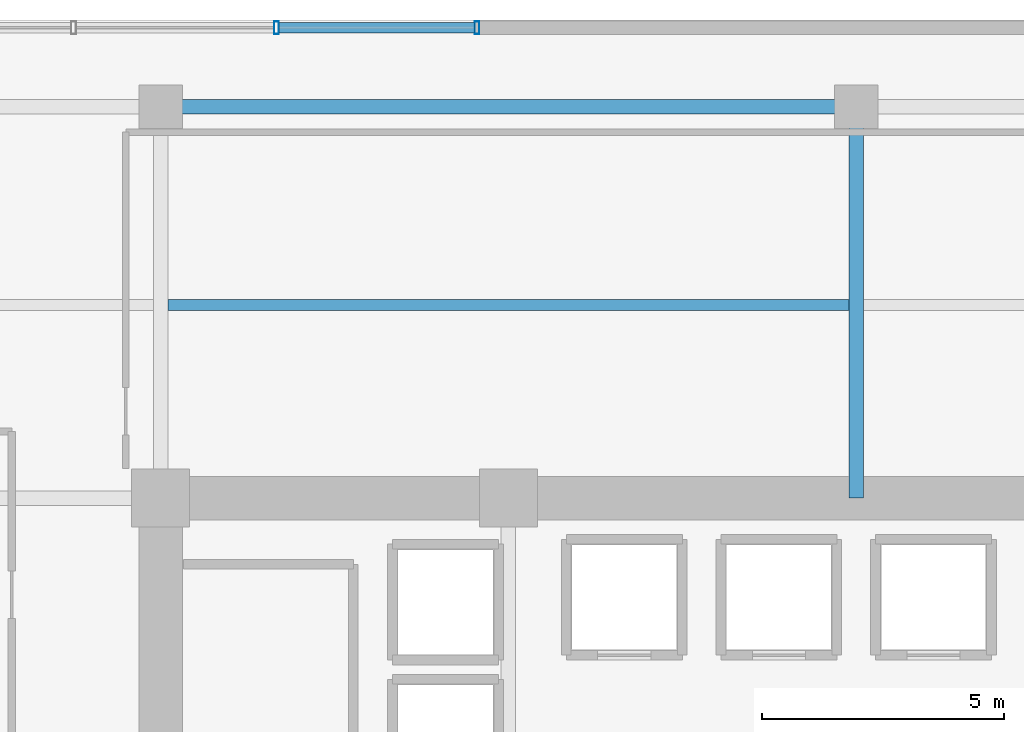
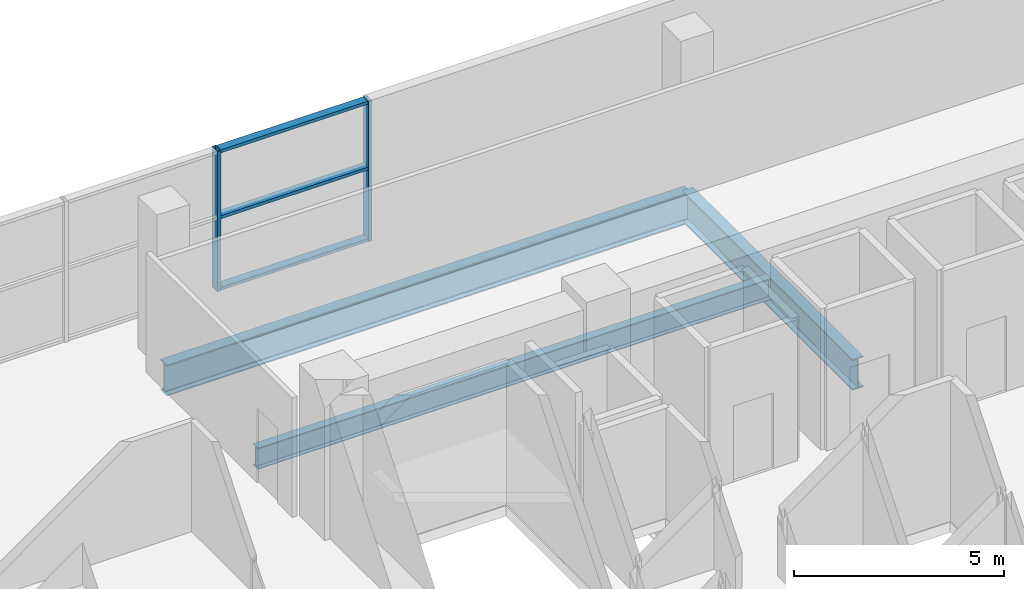
# One storey, part 9 of 21: 5 members, 3 beams, 1 element without a shape of its own.
"""IFC4 building model written with IfcOpenShell, lengths in metres."""

import ifcopenshell
import ifcopenshell.guid

model = None  # the IFC model being written
_history = None  # IfcOwnerHistory: only IFC2X3 demands one
_inside = {}  # id of a spatial element -> (the spatial element, [elements in it])
_under = {}  # id of a project, library or spatial element -> (it, [spatial elements below it])
_declared = {}  # id of a project -> (the project, [libraries it declares])
_typed = {}  # id of a type object -> (the type object, [elements of that type])
_made_of = {}  # id of a material, layer set ... -> (it, [elements and type objects made of it])


def new_model(schema):
    """Start an empty IFC model of exactly this schema.

    Asked for "IFC4X3", IfcOpenShell would pick the latest addendum, in which some entities
    have other attributes; the version numbers below select the first issue.
    IFC2X3 requires an IfcOwnerHistory on every rooted entity: one is made here for all.
    """
    global model, _history
    if schema == "IFC4X3":
        model = ifcopenshell.file(schema_version=(4, 3, 0, 0))
    else:
        model = ifcopenshell.file(schema=schema)
    _inside.clear()
    _under.clear()
    _declared.clear()
    _typed.clear()
    _made_of.clear()
    _history = None
    if model.schema == "IFC2X3":
        org = make("IfcOrganization", Name="unknown")
        user = make(
            "IfcPersonAndOrganization",
            ThePerson=make("IfcPerson", FamilyName="unknown"),
            TheOrganization=org,
        )
        app = make(
            "IfcApplication",
            ApplicationDeveloper=org,
            Version="unknown",
            ApplicationFullName="unknown",
            ApplicationIdentifier="unknown",
        )
        _history = make(
            "IfcOwnerHistory",
            OwningUser=user,
            OwningApplication=app,
            ChangeAction="ADDED",
            CreationDate=0,
        )
    return model


def make(cls, **values):
    """One entity of the class cls with the attributes given. An attribute that is None is left unset."""
    return model.create_entity(
        cls, **{name: value for name, value in values.items() if value is not None}
    )


def rooted(cls, **values):
    """An entity with a GlobalId (a new one), such as an element, a storey or a relation."""
    return make(cls, GlobalId=ifcopenshell.guid.new(), OwnerHistory=_history, **values)


def si_unit(unit_type, name, prefix=None):
    """IfcSIUnit, for example si_unit("LENGTHUNIT", "METRE", prefix="MILLI")."""
    return make("IfcSIUnit", UnitType=unit_type, Prefix=prefix, Name=name)


def assignment(units):
    """IfcUnitAssignment: the units of a project."""
    return None if units is None else make("IfcUnitAssignment", Units=units)


def point(xyz):
    """IfcCartesianPoint."""
    return None if xyz is None else make("IfcCartesianPoint", Coordinates=xyz)


def direction(xyz):
    """IfcDirection."""
    return None if xyz is None else make("IfcDirection", DirectionRatios=xyz)


def frame(location, z_axis=None, x_axis=None):
    """IfcAxis2Placement3D, a coordinate frame: its origin and axes. An axis left out is left unset."""
    return make(
        "IfcAxis2Placement3D",
        Location=point(location),
        Axis=direction(z_axis),
        RefDirection=direction(x_axis),
    )


def frame_2d(location, x_axis=None):
    """IfcAxis2Placement2D, a coordinate frame in the plane: its origin and x axis."""
    return make(
        "IfcAxis2Placement2D", Location=point(location), RefDirection=direction(x_axis)
    )


def origin():
    """The frame at (0, 0, 0) with its axes left unset."""
    return frame((0.0, 0.0, 0.0))


def origin_2d():
    """The frame at (0, 0) in the plane with its x axis left unset."""
    return frame_2d((0.0, 0.0))


def place(relative_to, where):
    """IfcLocalPlacement: puts the frame where relative to a parent placement (None: the world)."""
    return make(
        "IfcLocalPlacement", PlacementRelTo=relative_to, RelativePlacement=where
    )


def context(
    kind, dimensions, precision=None, world=None, true_north=None, identifier=None
):
    """IfcGeometricRepresentationContext, for example the 3D "Model" context."""
    return make(
        "IfcGeometricRepresentationContext",
        ContextIdentifier=identifier,
        ContextType=kind,
        CoordinateSpaceDimension=dimensions,
        Precision=precision,
        WorldCoordinateSystem=world,
        TrueNorth=true_north,
    )


def subcontext(parent, identifier, kind, view, scale=None):
    """IfcGeometricRepresentationSubContext, for example "Body" below "Model"."""
    return make(
        "IfcGeometricRepresentationSubContext",
        ContextIdentifier=identifier,
        ContextType=kind,
        ParentContext=parent,
        TargetScale=scale,
        TargetView=view,
    )


def project(units=None, contexts=None):
    """IfcProject with its units and contexts."""
    return rooted(
        "IfcProject",
        Name="project",
        RepresentationContexts=contexts,
        UnitsInContext=assignment(units),
    )


def spatial(cls, under=None, at=None, **own):
    """A site, building, storey or space (cls), placed at a placement, below another one or the project."""
    s = rooted(cls, ObjectPlacement=at, **own)
    if under is not None:
        _under.setdefault(under.id(), (under, []))[1].append(s)
    return s


def profile(cls, at=None, kind="AREA", **sizes):
    """A parametric profile (cls). Its sizes go by their IFC names, for example OverallWidth=200.0."""
    return make(cls, ProfileType=kind, Position=at, **sizes)


def hollow_rectangle(**sizes):
    """IfcRectangleHollowProfileDef."""
    return profile("IfcRectangleHollowProfileDef", **sizes)


def i_section(**sizes):
    """IfcIShapeProfileDef."""
    return profile("IfcIShapeProfileDef", **sizes)


def extrude(swept, where, along, depth):
    """IfcExtrudedAreaSolid: the profile swept, set in the frame where, extruded along a direction by depth."""
    return make(
        "IfcExtrudedAreaSolid",
        SweptArea=swept,
        Position=where,
        ExtrudedDirection=direction(along),
        Depth=depth,
    )


def shape(context_of_items, identifier, shape_type, items):
    """IfcShapeRepresentation: the items that make up one representation, for example the "Body"."""
    return make(
        "IfcShapeRepresentation",
        ContextOfItems=context_of_items,
        RepresentationIdentifier=identifier,
        RepresentationType=shape_type,
        Items=items,
    )


def source(mapping_origin, context_of_items, identifier, shape_type, items):
    """IfcRepresentationMap: a shape defined once, which mapped items show again and again."""
    return make(
        "IfcRepresentationMap",
        MappingOrigin=mapping_origin,
        MappedRepresentation=shape(context_of_items, identifier, shape_type, items),
    )


def transform(
    local_origin,
    x_axis=None,
    y_axis=None,
    z_axis=None,
    scale=None,
    scale2=None,
    scale3=None,
    uniform=True,
):
    """IfcCartesianTransformationOperator3D, or its non-uniform kind. x_axis, y_axis, z_axis: its Axis1, 2, 3."""
    if uniform:
        return make(
            "IfcCartesianTransformationOperator3D",
            Axis1=direction(x_axis),
            Axis2=direction(y_axis),
            LocalOrigin=point(local_origin),
            Scale=scale,
            Axis3=direction(z_axis),
        )
    return make(
        "IfcCartesianTransformationOperator3DnonUniform",
        Axis1=direction(x_axis),
        Axis2=direction(y_axis),
        LocalOrigin=point(local_origin),
        Scale=scale,
        Axis3=direction(z_axis),
        Scale2=scale2,
        Scale3=scale3,
    )


def mapped(mapping_source, mapping_target):
    """IfcMappedItem: shows the shape of a source again, moved by a transform."""
    return make(
        "IfcMappedItem", MappingSource=mapping_source, MappingTarget=mapping_target
    )


def material(Name=None, Category=None):
    """IfcMaterial."""
    return make("IfcMaterial", Name=Name, Category=Category)


def layer(
    of_material, thickness, ventilated=None, Name=None, Category=None, Priority=None
):
    """IfcMaterialLayer: one layer of a wall or slab, of a material (None: an air gap)."""
    return make(
        "IfcMaterialLayer",
        Material=of_material,
        LayerThickness=thickness,
        IsVentilated=ventilated,
        Name=Name,
        Category=Category,
        Priority=Priority,
    )


def layer_set(layers, Name=None):
    """IfcMaterialLayerSet."""
    return make("IfcMaterialLayerSet", MaterialLayers=layers, LayerSetName=Name)


def material_profile(
    of_material, cross_section, Name=None, Category=None, Priority=None
):
    """IfcMaterialProfile: a cross section and its material."""
    return make(
        "IfcMaterialProfile",
        Name=Name,
        Material=of_material,
        Profile=cross_section,
        Priority=Priority,
        Category=Category,
    )


def profile_set(profiles, Name=None, composite=None):
    """IfcMaterialProfileSet."""
    return make(
        "IfcMaterialProfileSet",
        Name=Name,
        MaterialProfiles=profiles,
        CompositeProfile=composite,
    )


def made_of(thing, what):
    """Note that an element or type object is made of a material, layer set ...; save() writes the relation."""
    if what is not None:
        _made_of.setdefault(what.id(), (what, []))[1].append(thing)
    return thing


def type_object(cls, material=None, **own):
    """A type object (cls), such as IfcWallType, which elements share."""
    return made_of(rooted(cls, **own), material)


def element(
    cls,
    number,
    at=None,
    inside=None,
    cuts=None,
    type_object=None,
    material=None,
    context=None,
    identifier="Body",
    shape_type=None,
    held_by="IfcProductDefinitionShape",
    body=None,
    shapes=None,
    **own,
):
    """One element of the class cls, such as IfcWall. Its Tag is "e" and its number.

    at: its placement. inside: the storey or other place that contains it. cuts: it is an
    opening in that element (IfcRelVoidsElement). A single representation is given by context,
    identifier, shape_type and body (its items); several are given by shapes. held_by: the class
    of the entity that holds the representations. save() writes the other relations.
    """
    e = rooted(cls, Tag="e%d" % number, ObjectPlacement=at, **own)
    if body is not None:
        shapes = [shape(context, identifier, shape_type, body)]
    if shapes is not None:
        e.Representation = make(held_by, Representations=shapes)
    if inside is not None:
        _inside.setdefault(inside.id(), (inside, []))[1].append(e)
    if cuts is not None:
        rooted(
            "IfcRelVoidsElement", RelatingBuildingElement=cuts, RelatedOpeningElement=e
        )
    if type_object is not None:
        _typed.setdefault(type_object.id(), (type_object, []))[1].append(e)
    return made_of(e, material)


def aggregate(whole, parts):
    """IfcRelAggregates: a whole, such as a stair, and the parts it consists of."""
    return rooted("IfcRelAggregates", RelatingObject=whole, RelatedObjects=parts)


def save(model, path):
    """Write the relations noted so far, then the file.

    IfcRelAggregates (storeys below a building ...), IfcRelContainedInSpatialStructure (elements
    in a storey), IfcRelDefinesByType, IfcRelAssociatesMaterial and IfcRelDeclares: one each for
    every whole, place, type object, material and project.
    """
    for whole, parts in _under.values():
        aggregate(whole, parts)
    for where, things in _inside.values():
        rooted(
            "IfcRelContainedInSpatialStructure",
            RelatedElements=things,
            RelatingStructure=where,
        )
    for kind, things in _typed.values():
        rooted("IfcRelDefinesByType", RelatedObjects=things, RelatingType=kind)
    for what, things in _made_of.values():
        rooted("IfcRelAssociatesMaterial", RelatedObjects=things, RelatingMaterial=what)
    for by, libraries in _declared.values():
        rooted("IfcRelDeclares", RelatingContext=by, RelatedDefinitions=libraries)
    model.write(path)


model = new_model("IFC4")

# Units and contexts
model_context = context("Model", 3, precision=1e-05, world=origin(), true_north=direction((0.0, 1.0)))
body_context = subcontext(model_context, "Body", "Model", "MODEL_VIEW")
ifc_project = project(units=[si_unit("LENGTHUNIT", "METRE"), si_unit("AREAUNIT", "SQUARE_METRE"), si_unit("VOLUMEUNIT", "CUBIC_METRE"), si_unit("PLANEANGLEUNIT", "RADIAN"), si_unit("MASSUNIT", "GRAM", prefix="KILO")], contexts=[model_context])

# Site, building, storey
site_placement = place(None, origin())
site = spatial("IfcSite", under=ifc_project, at=site_placement, CompositionType="ELEMENT")
building_placement = place(site_placement, origin())
building = spatial("IfcBuilding", under=site, at=building_placement, Name="Zarnakvel Exchange Tower", CompositionType="ELEMENT")
storey_placement = place(building_placement, frame((0.0, 0.0, 18.199951171875)))
storey = spatial("IfcBuildingStorey", under=building, at=storey_placement, Name="L04", CompositionType="ELEMENT", Elevation=18.199951171875)

# Beams
ifc_material_1 = material(Name="Steel S355", Category="steel")
ifc_material_profile_1 = material_profile(ifc_material_1, i_section(OverallWidth=0.230224609375, OverallDepth=0.6171875, WebThickness=0.01318359375, FlangeThickness=0.022216796875, FilletRadius=0.0126953125, at=origin_2d()))
ifc_profile_set_1 = profile_set([ifc_material_profile_1], Name="Steel S355")
beam_type_1 = type_object("IfcBeamType", Name="B-02", PredefinedType="JOIST", material=ifc_profile_set_1)
beam_1_placement = place(storey_placement, frame((-14.25, 17.5, -0.608642578125), z_axis=(1.0, 0.0, 0.0), x_axis=(0.0, 1.0, 0.0)))
element("IfcBeam", 1, at=beam_1_placement, inside=storey, type_object=beam_type_1, Name="L04 North Bay Secondary Floor Joist", PredefinedType="JOIST", context=body_context, shape_type="SweptSolid", body=[
    extrude(i_section(OverallWidth=0.230224609375, OverallDepth=0.6171875, WebThickness=0.01318359375, FlangeThickness=0.022216796875, FilletRadius=0.0126953125, at=origin_2d()), origin(), (0.0, 0.0, 1.0), 14.10009765625),
])
ifc_material_profile_2 = material_profile(ifc_material_1, i_section(OverallWidth=0.300048828125, OverallDepth=0.89990234375, WebThickness=0.0185546875, FlangeThickness=0.034912109375, FilletRadius=0.030029296875, at=origin_2d()))
ifc_profile_set_2 = profile_set([ifc_material_profile_2], Name="Steel S355")
beam_type_2 = type_object("IfcBeamType", Name="G-01", PredefinedType="BEAM", material=ifc_profile_set_2)
beam_2_placement = place(storey_placement, frame((-14.39990234375, 21.60009765625, -0.75), z_axis=(1.0, 0.0, 0.0), x_axis=(0.0, 1.0, 0.0)))
element("IfcBeam", 2, at=beam_2_placement, inside=storey, type_object=beam_type_2, Name="L04 Primary E-W Girder Y=+21.6", PredefinedType="BEAM", context=body_context, shape_type="SweptSolid", body=[
    extrude(i_section(OverallWidth=0.300048828125, OverallDepth=0.89990234375, WebThickness=0.0185546875, FlangeThickness=0.034912109375, FilletRadius=0.030029296875, at=origin_2d()), origin(), (0.0, 0.0, 1.0), 14.39990234375),
])
beam_3_placement = place(storey_placement, frame((0.0, 13.5, -0.75), z_axis=(0.0, 1.0, 0.0), x_axis=(-1.0, 0.0, 0.0)))
element("IfcBeam", 3, at=beam_3_placement, inside=storey, type_object=beam_type_2, Name="L04 Primary N-S Girder X=+0.0 North", PredefinedType="BEAM", context=body_context, shape_type="SweptSolid", body=[
    extrude(i_section(OverallWidth=0.300048828125, OverallDepth=0.89990234375, WebThickness=0.0185546875, FlangeThickness=0.034912109375, FilletRadius=0.030029296875, at=origin_2d()), origin(), (0.0, 0.0, 1.0), 8.10009765625),
])

# Curtain wall, members
ifc_material_2 = material(Name="Architectural Bronze Anodised Aluminium", Category="aluminium")
ifc_layer = layer(ifc_material_2, 0.260009765625)
ifc_layer_set = layer_set([ifc_layer], Name="Architectural Bronze Anodised Aluminium")
curtain_wall_type = type_object("IfcCurtainWallType", Name="CW-01", PredefinedType="NOTDEFINED", material=ifc_layer_set)
curtain_wall_placement = place(storey_placement, origin())
curtain_wall = element("IfcCurtainWall", 4, at=curtain_wall_placement, inside=storey, type_object=curtain_wall_type, Name="L04 Curtain Wall CW-L04-N1 (CW-01)", PredefinedType="NOTDEFINED")
ifc_material_profile_3 = material_profile(ifc_material_2, hollow_rectangle(XDim=0.219970703125, YDim=0.090087890625, WallThickness=0.0048828125, at=origin_2d()))
ifc_profile_set_3 = profile_set([ifc_material_profile_3], Name="Architectural Bronze Anodised Aluminium")
member_type_1 = type_object("IfcMemberType", Name="CWT-01", PredefinedType="USERDEFINED", material=ifc_profile_set_3)
shared_shape_1 = source(origin(), body_context, "Body", "SweptSolid", [
    extrude(hollow_rectangle(XDim=0.219970703125, YDim=0.090087890625, WallThickness=0.0048828125, at=origin_2d()), origin(), (0.0, 0.0, 1.0), 4.050048828125),
])
member_1_placement = place(storey_placement, frame((-11.949951171875, 23.239990234375, 0.045166015625), z_axis=(1.0, 0.0, 0.0), x_axis=(0.0, 1.0, 0.0)))
member_1 = element("IfcMember", 5, at=member_1_placement, type_object=member_type_1, Name="CW-01 transom 3.1", ObjectType="TRANSOM", PredefinedType="USERDEFINED", context=body_context, shape_type="MappedRepresentation", body=[
    mapped(shared_shape_1, transform((0.0, 0.0, 0.0), x_axis=(1.0, 0.0, 0.0), y_axis=(0.0, 1.0, 0.0), z_axis=(0.0, 0.0, 1.0), scale=1.0)),
])
member_2_placement = place(storey_placement, frame((-11.949951171875, 23.239990234375, 2.12158203125), z_axis=(1.0, 0.0, 0.0), x_axis=(0.0, 1.0, 0.0)))
member_2 = element("IfcMember", 6, at=member_2_placement, type_object=member_type_1, Name="CW-01 transom 3.2", ObjectType="TRANSOM", PredefinedType="USERDEFINED", context=body_context, shape_type="MappedRepresentation", body=[
    mapped(shared_shape_1, transform((0.0, 0.0, 0.0), x_axis=(1.0, 0.0, 0.0), y_axis=(0.0, 1.0, 0.0), z_axis=(0.0, 0.0, 1.0), scale=1.0)),
])
member_3_placement = place(storey_placement, frame((-11.949951171875, 23.239990234375, 4.03515625), z_axis=(1.0, 0.0, 0.0), x_axis=(0.0, 1.0, 0.0)))
member_3 = element("IfcMember", 7, at=member_3_placement, type_object=member_type_1, Name="CW-01 transom 3.3", ObjectType="TRANSOM", PredefinedType="USERDEFINED", context=body_context, shape_type="MappedRepresentation", body=[
    mapped(shared_shape_1, transform((0.0, 0.0, 0.0), x_axis=(1.0, 0.0, 0.0), y_axis=(0.0, 1.0, 0.0), z_axis=(0.0, 0.0, 1.0), scale=1.0)),
])
ifc_material_profile_4 = material_profile(ifc_material_2, hollow_rectangle(XDim=0.260009765625, YDim=0.10009765625, WallThickness=0.006103515625, at=origin_2d()))
ifc_profile_set_4 = profile_set([ifc_material_profile_4], Name="Architectural Bronze Anodised Aluminium")
member_type_2 = type_object("IfcMemberType", Name="CWM-01", PredefinedType="MULLION", material=ifc_profile_set_4)
shared_shape_2 = source(origin(), body_context, "Body", "SweptSolid", [
    extrude(hollow_rectangle(XDim=0.260009765625, YDim=0.10009765625, WallThickness=0.006103515625, at=origin_2d()), origin(), (0.0, 0.0, 1.0), 4.080078125),
])
member_4_placement = place(storey_placement, frame((-12.0, 23.239990234375, 0.0), z_axis=(0.0, 0.0, 1.0), x_axis=(0.0, 1.0, 0.0)))
member_4 = element("IfcMember", 8, at=member_4_placement, type_object=member_type_2, Name="CW-01 mullion 3", PredefinedType="MULLION", context=body_context, shape_type="MappedRepresentation", body=[
    mapped(shared_shape_2, transform((0.0, 0.0, 0.0), x_axis=(1.0, 0.0, 0.0), y_axis=(0.0, 1.0, 0.0), z_axis=(0.0, 0.0, 1.0), scale=1.0)),
])
member_5_placement = place(storey_placement, frame((-7.85009765625, 23.239990234375, 0.0), z_axis=(0.0, 0.0, 1.0), x_axis=(0.0, 1.0, 0.0)))
member_5 = element("IfcMember", 9, at=member_5_placement, type_object=member_type_2, Name="CW-01 mullion 4", PredefinedType="MULLION", context=body_context, shape_type="MappedRepresentation", body=[
    mapped(shared_shape_2, transform((0.0, 0.0, 0.0), x_axis=(1.0, 0.0, 0.0), y_axis=(0.0, 1.0, 0.0), z_axis=(0.0, 0.0, 1.0), scale=1.0)),
])
aggregate(curtain_wall, [member_4, member_5, member_1, member_2, member_3])

save(model, "model.ifc")
